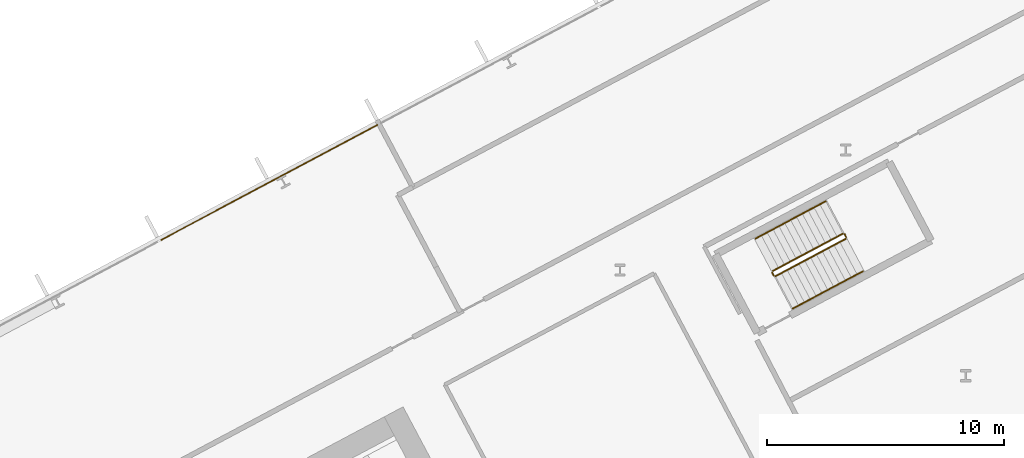
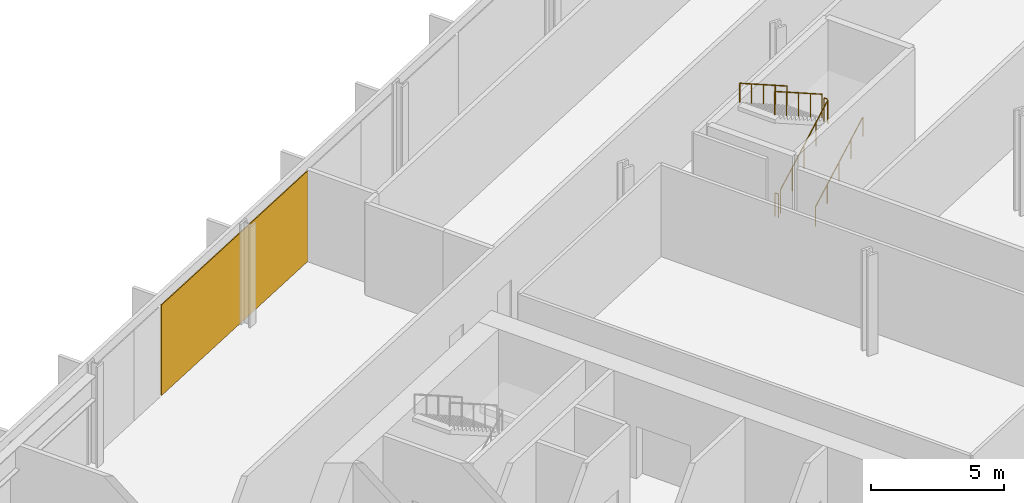
# One storey, part 31 of 32: 6 railings, 1 covering, 1 element without a shape of its own.
"""IFC4 building model written with IfcOpenShell, lengths in metres."""

from ifc_helpers import new_model, si_unit, direction, frame, origin, origin_2d, place, context, subcontext, project, spatial, polyline, rectangle, outline, extrude, material, layer, layer_set, type_object, element, aggregate, save


model = new_model("IFC4")

# Units and contexts
model_context = context("Model", 3, precision=1e-05, world=origin(), true_north=direction((0.0, 1.0)))
body_context = subcontext(model_context, "Body", "Model", "MODEL_VIEW")
ifc_project = project(units=[si_unit("LENGTHUNIT", "METRE"), si_unit("AREAUNIT", "SQUARE_METRE"), si_unit("VOLUMEUNIT", "CUBIC_METRE"), si_unit("PLANEANGLEUNIT", "RADIAN"), si_unit("MASSUNIT", "GRAM", prefix="KILO")], contexts=[model_context])

# Site, building, storey
site_placement = place(None, origin())
site = spatial("IfcSite", under=ifc_project, at=site_placement, CompositionType="ELEMENT")
building_placement = place(site_placement, origin())
building = spatial("IfcBuilding", under=site, at=building_placement, Name="Cormorant Relay Tower", CompositionType="ELEMENT")
storey_placement = place(building_placement, frame((0.0, 0.0, 66.199951171875)))
storey = spatial("IfcBuildingStorey", under=building, at=storey_placement, Name="L12", CompositionType="ELEMENT", Elevation=66.199951171875)

# Curtain wall, covering
ifc_material_1 = material(Name="Aluminium 6063-T6 anodised bronze", Category="aluminium")
ifc_layer_1 = layer(ifc_material_1, 0.199951171875)
ifc_layer_set_1 = layer_set([ifc_layer_1], Name="CW1 unitised bronze curtain wall with vertical fins")
curtain_wall_type = type_object("IfcCurtainWallType", Name="CW1 unitised bronze curtain wall with vertical fins", PredefinedType="NOTDEFINED", material=ifc_layer_set_1)
curtain_wall_placement = place(storey_placement, origin())
curtain_wall = element("IfcCurtainWall", 1, at=curtain_wall_placement, inside=storey, type_object=curtain_wall_type, Name="CW1 curtain wall 6", PredefinedType="NOTDEFINED")
ifc_material_2 = material(Name="Pale bronze anodised aluminium insulated panel", Category="aluminium")
ifc_layer_2 = layer(ifc_material_2, 0.0400390625)
ifc_layer_set_2 = layer_set([ifc_layer_2], Name="CW1 pale bronze insulated panel 40")
covering_type = type_object("IfcCoveringType", Name="CW1 pale bronze insulated panel 40", PredefinedType="CLADDING", material=ifc_layer_set_2)
covering_placement = place(storey_placement, frame((23.20166015625, 36.143310546875, 0.0), z_axis=(0.0, 0.0, 1.0), x_axis=(-0.882947592859, -0.469471562786, 0.0)))
covering = element("IfcCovering", 2, at=covering_placement, type_object=covering_type, Name="CW1 panel S05", PredefinedType="CLADDING", context=body_context, shape_type="SweptSolid", body=[
    extrude(rectangle(XDim=10.365234375, YDim=0.0400390625, at=origin_2d()), origin(), (0.0, 0.0, 1.0), 4.14990234375),
])
aggregate(curtain_wall, [covering])

# Railings
ifc_material_3 = material(Name="Steel ASTM A572 Grade 50 (Fy 345 MPa)", Category="steel")
railing_type_1 = type_object("IfcRailingType", Name="Stair guard 1100", PredefinedType="GUARDRAIL", material=ifc_material_3)
railing_1_placement = place(storey_placement, frame((44.583740234375, 32.186279296875, 0.177001953125)))
element("IfcRailing", 3, at=railing_1_placement, inside=storey, type_object=railing_type_1, Name="L12 RB1 stair guard 1", PredefinedType="GUARDRAIL", context=body_context, shape_type="SweptSolid", body=[
    extrude(outline(polyline([(0.022216796875, 0.00927734375), (0.00927734375, 0.022216796875), (-0.00927734375, 0.022216796875), (-0.022216796875, 0.00927734375), (-0.022216796875, -0.00927734375), (-0.00927734375, -0.022216796875), (0.00927734375, -0.022216796875), (0.022216796875, -0.00927734375), (0.022216796875, 0.00927734375)])), frame((0.0, 0.0, 1.076171875), z_axis=(0.746422470992, 0.396920836698, 0.534141689248), x_axis=(-0.469509342547, 0.882927503967, 0.0)), (0.0, 0.0, 1.0), 3.974609375),
    extrude(outline(polyline([(0.019287109375, 0.008056640625), (0.008056640625, 0.019287109375), (-0.008056640625, 0.019287109375), (-0.019287109375, 0.008056640625), (-0.019287109375, -0.008056640625), (-0.008056640625, -0.019287109375), (0.008056640625, -0.019287109375), (0.019287109375, -0.008056640625), (0.019287109375, 0.008056640625)])), origin(), (0.0, 0.0, 1.0), 1.052001953125),
    extrude(outline(polyline([(0.019287109375, 0.008056640625), (0.008056640625, 0.019287109375), (-0.008056640625, 0.019287109375), (-0.019287109375, 0.008056640625), (-0.019287109375, -0.008056640625), (-0.008056640625, -0.019287109375), (0.008056640625, -0.019287109375), (0.019287109375, -0.008056640625), (0.019287109375, 0.008056640625)])), frame((0.74169921875, 0.39453125, 0.53076171875)), (0.0, 0.0, 1.0), 1.052001953125),
    extrude(outline(polyline([(0.019287109375, 0.008056640625), (0.008056640625, 0.019287109375), (-0.008056640625, 0.019287109375), (-0.019287109375, 0.008056640625), (-0.019287109375, -0.008056640625), (-0.008056640625, -0.019287109375), (0.008056640625, -0.019287109375), (0.019287109375, -0.008056640625), (0.019287109375, 0.008056640625)])), frame((1.4833984375, 0.788818359375, 1.0615234375)), (0.0, 0.0, 1.0), 1.052001953125),
    extrude(outline(polyline([(0.019287109375, 0.008056640625), (0.008056640625, 0.019287109375), (-0.008056640625, 0.019287109375), (-0.019287109375, 0.008056640625), (-0.019287109375, -0.008056640625), (-0.008056640625, -0.019287109375), (0.008056640625, -0.019287109375), (0.019287109375, -0.008056640625), (0.019287109375, 0.008056640625)])), frame((2.22509765625, 1.18310546875, 1.59228515625)), (0.0, 0.0, 1.0), 1.052001953125),
    extrude(outline(polyline([(0.019287109375, 0.008056640625), (0.008056640625, 0.019287109375), (-0.008056640625, 0.019287109375), (-0.019287109375, 0.008056640625), (-0.019287109375, -0.008056640625), (-0.008056640625, -0.019287109375), (0.008056640625, -0.019287109375), (0.019287109375, -0.008056640625), (0.019287109375, 0.008056640625)])), frame((2.966796875, 1.57763671875, 2.123046875)), (0.0, 0.0, 1.0), 1.052001953125),
])
railing_2_placement = place(storey_placement, frame((47.571044921875, 33.831298828125, 2.300048828125)))
element("IfcRailing", 4, at=railing_2_placement, inside=storey, type_object=railing_type_1, Name="L12 RB1 stair guard 2", PredefinedType="GUARDRAIL", context=body_context, shape_type="SweptSolid", body=[
    extrude(outline(polyline([(0.022216796875, 0.00927734375), (0.00927734375, 0.022216796875), (-0.00927734375, 0.022216796875), (-0.022216796875, 0.00927734375), (-0.022216796875, -0.00927734375), (-0.00927734375, -0.022216796875), (0.00927734375, -0.022216796875), (0.022216796875, -0.00927734375), (0.022216796875, 0.00927734375)])), frame((0.0, 0.0, 1.076171875), z_axis=(-0.46856034887, 0.8834314911, 0.0), x_axis=(-0.8834314911, -0.46856034887, 0.0)), (0.0, 0.0, 1.0), 0.150146484375),
    extrude(outline(polyline([(0.019287109375, 0.008056640625), (0.008056640625, 0.019287109375), (-0.008056640625, 0.019287109375), (-0.019287109375, 0.008056640625), (-0.019287109375, -0.008056640625), (-0.008056640625, -0.019287109375), (0.008056640625, -0.019287109375), (0.019287109375, -0.008056640625), (0.019287109375, 0.008056640625)])), origin(), (0.0, 0.0, 1.0), 1.052001953125),
    extrude(outline(polyline([(0.019287109375, 0.008056640625), (0.008056640625, 0.019287109375), (-0.008056640625, 0.019287109375), (-0.019287109375, 0.008056640625), (-0.019287109375, -0.008056640625), (-0.008056640625, -0.019287109375), (0.008056640625, -0.019287109375), (0.019287109375, -0.008056640625), (0.019287109375, 0.008056640625)])), frame((-0.0703125, 0.132568359375, 0.0)), (0.0, 0.0, 1.0), 1.052001953125),
])
railing_3_placement = place(storey_placement, frame((47.43310546875, 33.984619140625, 2.47705078125)))
element("IfcRailing", 5, at=railing_3_placement, inside=storey, type_object=railing_type_1, Name="L12 RB1 stair guard 3", PredefinedType="GUARDRAIL", context=body_context, shape_type="SweptSolid", body=[
    extrude(outline(polyline([(0.022216796875, 0.00927734375), (0.00927734375, 0.022216796875), (-0.00927734375, 0.022216796875), (-0.022216796875, 0.00927734375), (-0.022216796875, -0.00927734375), (-0.00927734375, -0.022216796875), (0.00927734375, -0.022216796875), (0.022216796875, -0.00927734375), (0.022216796875, 0.00927734375)])), frame((0.0, 0.0, 1.076171875), z_axis=(-0.746440668329, -0.396869088057, 0.534154711306), x_axis=(0.46945269911, -0.882957622595, 0.0)), (0.0, 0.0, 1.0), 3.974609375),
    extrude(outline(polyline([(0.019287109375, 0.008056640625), (0.008056640625, 0.019287109375), (-0.008056640625, 0.019287109375), (-0.019287109375, 0.008056640625), (-0.019287109375, -0.008056640625), (-0.008056640625, -0.019287109375), (0.008056640625, -0.019287109375), (0.019287109375, -0.008056640625), (0.019287109375, 0.008056640625)])), origin(), (0.0, 0.0, 1.0), 1.052001953125),
    extrude(outline(polyline([(0.019287109375, 0.008056640625), (0.008056640625, 0.019287109375), (-0.008056640625, 0.019287109375), (-0.019287109375, 0.008056640625), (-0.019287109375, -0.008056640625), (-0.008056640625, -0.019287109375), (0.008056640625, -0.019287109375), (0.019287109375, -0.008056640625), (0.019287109375, 0.008056640625)])), frame((-0.74169921875, -0.394287109375, 0.53076171875)), (0.0, 0.0, 1.0), 1.052001953125),
    extrude(outline(polyline([(0.019287109375, 0.008056640625), (0.008056640625, 0.019287109375), (-0.008056640625, 0.019287109375), (-0.019287109375, 0.008056640625), (-0.019287109375, -0.008056640625), (-0.008056640625, -0.019287109375), (0.008056640625, -0.019287109375), (0.019287109375, -0.008056640625), (0.019287109375, 0.008056640625)])), frame((-1.4833984375, -0.78857421875, 1.0615234375)), (0.0, 0.0, 1.0), 1.052001953125),
    extrude(outline(polyline([(0.019287109375, 0.008056640625), (0.008056640625, 0.019287109375), (-0.008056640625, 0.019287109375), (-0.019287109375, 0.008056640625), (-0.019287109375, -0.008056640625), (-0.008056640625, -0.019287109375), (0.008056640625, -0.019287109375), (0.019287109375, -0.008056640625), (0.019287109375, 0.008056640625)])), frame((-2.22509765625, -1.18310546875, 1.59228515625)), (0.0, 0.0, 1.0), 1.052001953125),
    extrude(outline(polyline([(0.019287109375, 0.008056640625), (0.008056640625, 0.019287109375), (-0.008056640625, 0.019287109375), (-0.019287109375, 0.008056640625), (-0.019287109375, -0.008056640625), (-0.008056640625, -0.019287109375), (0.008056640625, -0.019287109375), (0.019287109375, -0.008056640625), (0.019287109375, 0.008056640625)])), frame((-2.966796875, -1.577392578125, 2.123046875)), (0.0, 0.0, 1.0), 1.052001953125),
])
railing_4_placement = place(storey_placement, frame((44.51611328125, 32.20703125, 0.0)))
element("IfcRailing", 6, at=railing_4_placement, inside=storey, type_object=railing_type_1, Name="L12 RB1 stair guard 4", PredefinedType="GUARDRAIL", context=body_context, shape_type="SweptSolid", body=[
    extrude(outline(polyline([(0.022216796875, 0.00927734375), (0.00927734375, 0.022216796875), (-0.00927734375, 0.022216796875), (-0.022216796875, 0.00927734375), (-0.022216796875, -0.00927734375), (-0.00927734375, -0.022216796875), (0.00927734375, -0.022216796875), (0.022216796875, -0.00927734375), (0.022216796875, 0.00927734375)])), frame((0.0, 0.0, 1.076171875), z_axis=(-0.46856034887, 0.8834314911, 0.0), x_axis=(-0.8834314911, -0.46856034887, 0.0)), (0.0, 0.0, 1.0), 0.150146484375),
    extrude(outline(polyline([(0.019287109375, 0.008056640625), (0.008056640625, 0.019287109375), (-0.008056640625, 0.019287109375), (-0.019287109375, 0.008056640625), (-0.019287109375, -0.008056640625), (-0.008056640625, -0.019287109375), (0.008056640625, -0.019287109375), (0.019287109375, -0.008056640625), (0.019287109375, 0.008056640625)])), origin(), (0.0, 0.0, 1.0), 1.052001953125),
    extrude(outline(polyline([(0.019287109375, 0.008056640625), (0.008056640625, 0.019287109375), (-0.008056640625, 0.019287109375), (-0.019287109375, 0.008056640625), (-0.019287109375, -0.008056640625), (-0.008056640625, -0.019287109375), (0.008056640625, -0.019287109375), (0.019287109375, -0.008056640625), (0.019287109375, 0.008056640625)])), frame((-0.0703125, 0.132568359375, 0.0)), (0.0, 0.0, 1.0), 1.052001953125),
])
ifc_material_4 = material(Name="Steel ASTM A572 Grade 50 (Fy 345 MPa)", Category="steel")
railing_type_2 = type_object("IfcRailingType", Name="Stair handrail 900", PredefinedType="HANDRAIL", material=ifc_material_4)
railing_5_placement = place(storey_placement, frame((45.3115234375, 30.81787109375, 0.177001953125)))
element("IfcRailing", 7, at=railing_5_placement, inside=storey, type_object=railing_type_2, Name="L12 RB1 stair handrail 1", PredefinedType="HANDRAIL", context=body_context, shape_type="SweptSolid", body=[
    extrude(outline(polyline([(0.022216796875, 0.00927734375), (0.00927734375, 0.022216796875), (-0.00927734375, 0.022216796875), (-0.022216796875, 0.00927734375), (-0.022216796875, -0.00927734375), (-0.00927734375, -0.022216796875), (0.00927734375, -0.022216796875), (0.022216796875, -0.00927734375), (0.022216796875, 0.00927734375)])), frame((0.0, 0.0, 0.8759765625), z_axis=(0.746413465702, 0.396887285154, 0.534179203172), x_axis=(-0.469482818608, 0.88294160794, 0.0)), (0.0, 0.0, 1.0), 3.974365234375),
    extrude(outline(polyline([(0.019287109375, 0.008056640625), (0.008056640625, 0.019287109375), (-0.008056640625, 0.019287109375), (-0.019287109375, 0.008056640625), (-0.019287109375, -0.008056640625), (-0.008056640625, -0.019287109375), (0.008056640625, -0.019287109375), (0.019287109375, -0.008056640625), (0.019287109375, 0.008056640625)])), origin(), (0.0, 0.0, 1.0), 0.851806640625),
    extrude(outline(polyline([(0.019287109375, 0.008056640625), (0.008056640625, 0.019287109375), (-0.008056640625, 0.019287109375), (-0.019287109375, 0.008056640625), (-0.019287109375, -0.008056640625), (-0.008056640625, -0.019287109375), (0.008056640625, -0.019287109375), (0.019287109375, -0.008056640625), (0.019287109375, 0.008056640625)])), frame((0.74169921875, 0.394287109375, 0.53076171875)), (0.0, 0.0, 1.0), 0.851806640625),
    extrude(outline(polyline([(0.019287109375, 0.008056640625), (0.008056640625, 0.019287109375), (-0.008056640625, 0.019287109375), (-0.019287109375, 0.008056640625), (-0.019287109375, -0.008056640625), (-0.008056640625, -0.019287109375), (0.008056640625, -0.019287109375), (0.019287109375, -0.008056640625), (0.019287109375, 0.008056640625)])), frame((1.4833984375, 0.78857421875, 1.0615234375)), (0.0, 0.0, 1.0), 0.851806640625),
    extrude(outline(polyline([(0.019287109375, 0.008056640625), (0.008056640625, 0.019287109375), (-0.008056640625, 0.019287109375), (-0.019287109375, 0.008056640625), (-0.019287109375, -0.008056640625), (-0.008056640625, -0.019287109375), (0.008056640625, -0.019287109375), (0.019287109375, -0.008056640625), (0.019287109375, 0.008056640625)])), frame((2.224853515625, 1.18310546875, 1.59228515625)), (0.0, 0.0, 1.0), 0.851806640625),
    extrude(outline(polyline([(0.019287109375, 0.008056640625), (0.008056640625, 0.019287109375), (-0.008056640625, 0.019287109375), (-0.019287109375, 0.008056640625), (-0.019287109375, -0.008056640625), (-0.008056640625, -0.019287109375), (0.008056640625, -0.019287109375), (0.019287109375, -0.008056640625), (0.019287109375, 0.008056640625)])), frame((2.966552734375, 1.577392578125, 2.123046875)), (0.0, 0.0, 1.0), 0.851806640625),
])
railing_6_placement = place(storey_placement, frame((46.705322265625, 35.35302734375, 2.47705078125)))
element("IfcRailing", 8, at=railing_6_placement, inside=storey, type_object=railing_type_2, Name="L12 RB1 stair handrail 2", PredefinedType="HANDRAIL", context=body_context, shape_type="SweptSolid", body=[
    extrude(outline(polyline([(0.022216796875, 0.00927734375), (0.00927734375, 0.022216796875), (-0.00927734375, 0.022216796875), (-0.022216796875, 0.00927734375), (-0.022216796875, -0.00927734375), (-0.00927734375, -0.022216796875), (0.00927734375, -0.022216796875), (0.022216796875, -0.00927734375), (0.022216796875, 0.00927734375)])), frame((0.0, 0.0, 0.8759765625), z_axis=(-0.746413465702, -0.396887285154, 0.534179203172), x_axis=(0.469482818608, -0.88294160794, 0.0)), (0.0, 0.0, 1.0), 3.974365234375),
    extrude(outline(polyline([(0.019287109375, 0.008056640625), (0.008056640625, 0.019287109375), (-0.008056640625, 0.019287109375), (-0.019287109375, 0.008056640625), (-0.019287109375, -0.008056640625), (-0.008056640625, -0.019287109375), (0.008056640625, -0.019287109375), (0.019287109375, -0.008056640625), (0.019287109375, 0.008056640625)])), origin(), (0.0, 0.0, 1.0), 0.851806640625),
    extrude(outline(polyline([(0.019287109375, 0.008056640625), (0.008056640625, 0.019287109375), (-0.008056640625, 0.019287109375), (-0.019287109375, 0.008056640625), (-0.019287109375, -0.008056640625), (-0.008056640625, -0.019287109375), (0.008056640625, -0.019287109375), (0.019287109375, -0.008056640625), (0.019287109375, 0.008056640625)])), frame((-0.74169921875, -0.394287109375, 0.53076171875)), (0.0, 0.0, 1.0), 0.851806640625),
    extrude(outline(polyline([(0.019287109375, 0.008056640625), (0.008056640625, 0.019287109375), (-0.008056640625, 0.019287109375), (-0.019287109375, 0.008056640625), (-0.019287109375, -0.008056640625), (-0.008056640625, -0.019287109375), (0.008056640625, -0.019287109375), (0.019287109375, -0.008056640625), (0.019287109375, 0.008056640625)])), frame((-1.4833984375, -0.78857421875, 1.0615234375)), (0.0, 0.0, 1.0), 0.851806640625),
    extrude(outline(polyline([(0.019287109375, 0.008056640625), (0.008056640625, 0.019287109375), (-0.008056640625, 0.019287109375), (-0.019287109375, 0.008056640625), (-0.019287109375, -0.008056640625), (-0.008056640625, -0.019287109375), (0.008056640625, -0.019287109375), (0.019287109375, -0.008056640625), (0.019287109375, 0.008056640625)])), frame((-2.224853515625, -1.18310546875, 1.59228515625)), (0.0, 0.0, 1.0), 0.851806640625),
    extrude(outline(polyline([(0.019287109375, 0.008056640625), (0.008056640625, 0.019287109375), (-0.008056640625, 0.019287109375), (-0.019287109375, 0.008056640625), (-0.019287109375, -0.008056640625), (-0.008056640625, -0.019287109375), (0.008056640625, -0.019287109375), (0.019287109375, -0.008056640625), (0.019287109375, 0.008056640625)])), frame((-2.966552734375, -1.577392578125, 2.123046875)), (0.0, 0.0, 1.0), 0.851806640625),
])

save(model, "model.ifc")
